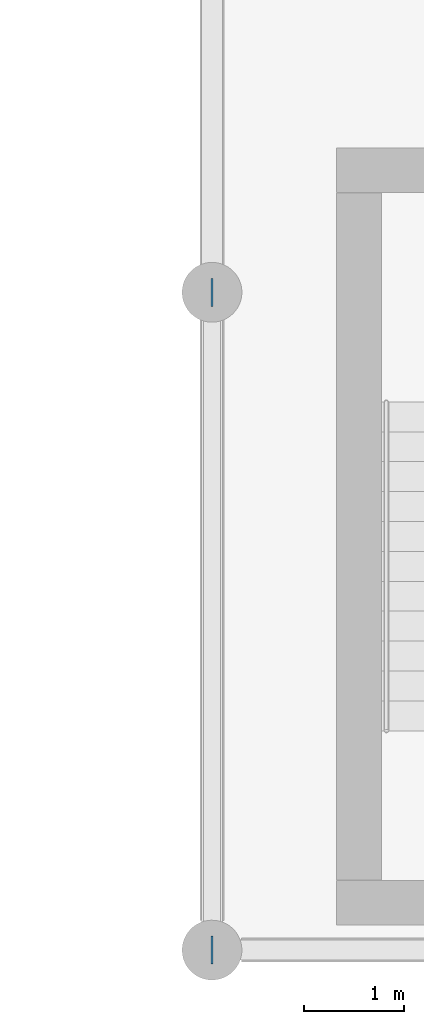
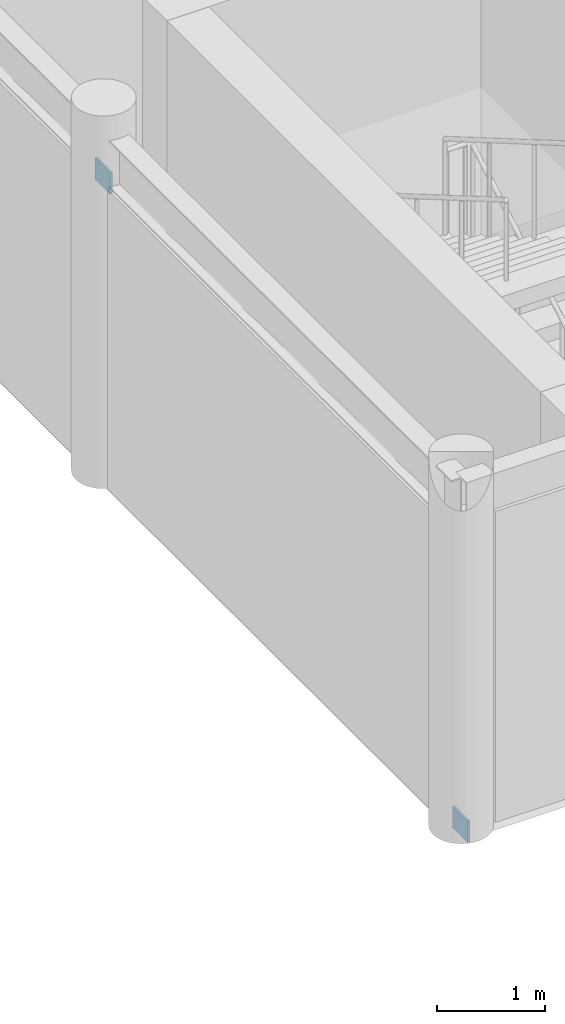
# One storey, part 52 of 66: 2 plates.
"""IFC4 building model written with IfcOpenShell, lengths in metres."""

from ifc_helpers import new_model, si_unit, direction, frame, origin, origin_2d, place, context, subcontext, project, spatial, rectangle, extrude, material, layer, layer_set, type_object, element, save


model = new_model("IFC4")

# Units and contexts
model_context = context("Model", 3, precision=1e-05, world=origin(), true_north=direction((0.0, 1.0)))
body_context = subcontext(model_context, "Body", "Model", "MODEL_VIEW")
ifc_project = project(units=[si_unit("LENGTHUNIT", "METRE"), si_unit("AREAUNIT", "SQUARE_METRE"), si_unit("VOLUMEUNIT", "CUBIC_METRE"), si_unit("PLANEANGLEUNIT", "RADIAN"), si_unit("MASSUNIT", "GRAM", prefix="KILO")], contexts=[model_context])

# Site, building, storey
site_placement = place(None, origin())
site = spatial("IfcSite", under=ifc_project, at=site_placement, CompositionType="ELEMENT")
building_placement = place(site_placement, origin())
building = spatial("IfcBuilding", under=site, at=building_placement, Name="Karori Crest Natural Sciences Institute", CompositionType="ELEMENT")
storey_placement = place(building_placement, frame((0.0, 0.0, 30.10009765625)))
storey = spatial("IfcBuildingStorey", under=building, at=storey_placement, Name="L07", CompositionType="ELEMENT", Elevation=30.10009765625)

# Plates
ifc_material = material(Name="Structural steel AS/NZS 3679.1 Grade 350", Category="steel")
ifc_layer = layer(ifc_material, 0.02490234375, Name="Structural steel AS/NZS 3679.1 Grade 350")
ifc_layer_set = layer_set([ifc_layer], Name="Structural steel AS/NZS 3679.1 Grade 350")
plate_type = type_object("IfcPlateType", Name="PLT-06-EL", PredefinedType="SHEET", material=ifc_layer_set)
for number, where, z_axis, x_axis, name in (
    (1, (103.60009765625, 0.800048828125, -0.10986328125), (0.0, 0.0, 1.0), (0.0, 1.0, 0.0), "Brace gusset plate EP-0416"),
    (2, (103.60009765625, 7.39990234375, 3.19775390625), (0.0, 0.0, 1.0), (0.0, 1.0, 0.0), "Brace gusset plate EP-0417"),
):
    element("IfcPlate", number, at=place(storey_placement, frame(where, z_axis=z_axis, x_axis=x_axis)), inside=storey, type_object=plate_type, Name=name, PredefinedType="SHEET", context=body_context, shape_type="SweptSolid", body=[
        extrude(rectangle(XDim=0.280029296875, YDim=0.02490234375, at=origin_2d()), origin(), (0.0, 0.0, 1.0), 0.239990234375),
    ])

save(model, "model.ifc")
